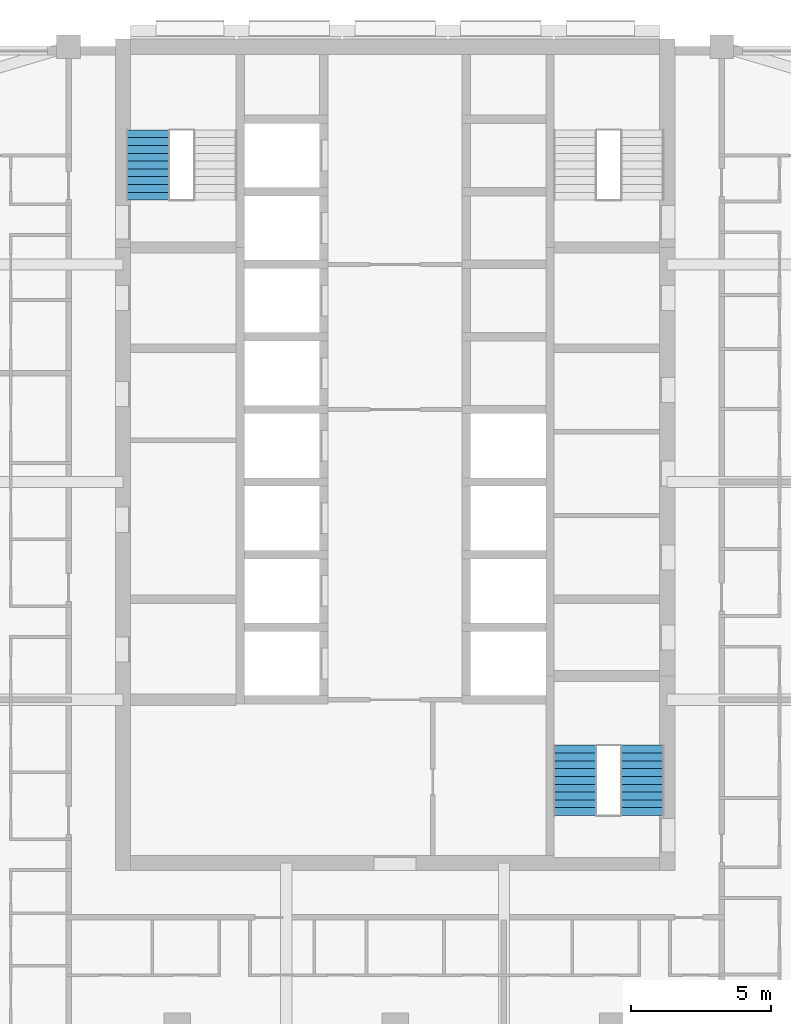
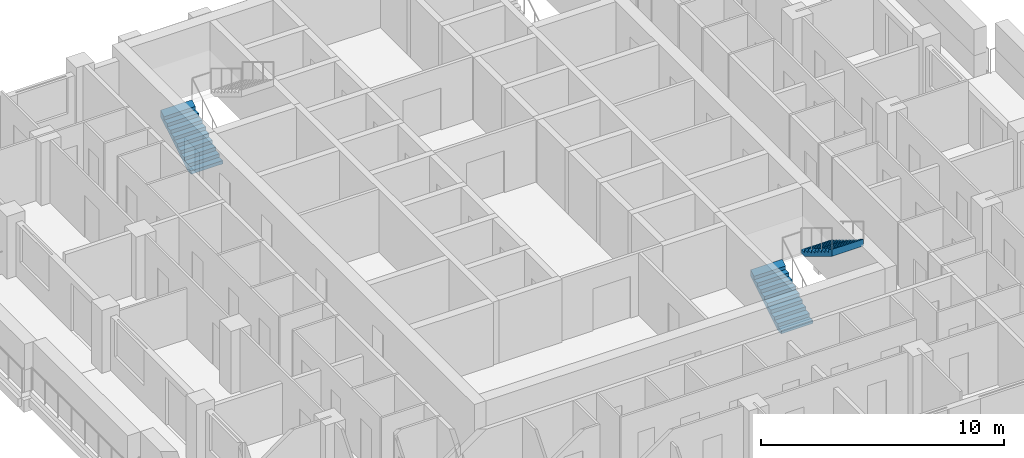
# One storey, part 10 of 13: 3 stair flights, 2 elements without a shape of their own.
"""IFC4 building model written with IfcOpenShell, lengths in metres."""

from ifc_helpers import new_model, si_unit, direction, frame, origin, place, context, subcontext, project, spatial, triangles, material, type_object, element, aggregate, save


model = new_model("IFC4")

# Units and contexts
model_context = context("Model", 3, precision=1e-05, world=origin(), true_north=direction((0.0, 1.0)))
body_context = subcontext(model_context, "Body", "Model", "MODEL_VIEW")
ifc_project = project(units=[si_unit("LENGTHUNIT", "METRE"), si_unit("AREAUNIT", "SQUARE_METRE"), si_unit("VOLUMEUNIT", "CUBIC_METRE"), si_unit("PLANEANGLEUNIT", "RADIAN"), si_unit("MASSUNIT", "GRAM", prefix="KILO")], contexts=[model_context])

# Site, building, storey
site_placement = place(None, origin())
site = spatial("IfcSite", under=ifc_project, at=site_placement, CompositionType="ELEMENT")
building_placement = place(site_placement, origin())
building = spatial("IfcBuilding", under=site, at=building_placement, Name="Ludao Terraces", CompositionType="ELEMENT")
storey_placement = place(building_placement, frame((0.0, 0.0, 130.5)))
storey = spatial("IfcBuildingStorey", under=building, at=storey_placement, Name="L35", CompositionType="ELEMENT", Elevation=130.5)

# Stair, stair flight
ifc_material = material(Name="Concrete C40", Category="concrete")
stair_type = type_object("IfcStairType", Name="INT Stair", PredefinedType="HALF_TURN_STAIR", material=ifc_material)
stair_1_placement = place(storey_placement, origin())
stair_1 = element("IfcStair", 1, at=stair_1_placement, inside=storey, type_object=stair_type, Name="EXIT STAIR 1", PredefinedType="HALF_TURN_STAIR")
stair_flight_type = type_object("IfcStairFlightType", Name="INT Stair flight", PredefinedType="STRAIGHT", material=ifc_material)
stair_flight_1_placement = place(storey_placement, frame((76.14990234375, 79.0, 0.0), z_axis=(0.0, 0.0, 1.0), x_axis=(0.0, 1.0, 0.0)))
stair_flight_1 = element("IfcStairFlight", 2, at=stair_flight_1_placement, type_object=stair_flight_type, Name="ST1 flight 1", NumberOfRisers=10, NumberOfTreads=9, PredefinedType="STRAIGHT", RiserHeight=0.17, TreadLength=0.28, context=body_context, shape_type="Tessellation", body=[
    triangles([(0.0, -0.75, 0.0), (0.0, -0.5, 0.0), (0.0, -0.25, 0.0), (0.0, 0.0, 0.0), (0.0, 0.25, 0.0), (0.0, 0.5, 0.0), (0.0, 0.75, 0.0), (0.0, -0.75, 0.169921875), (0.0, -0.5, 0.169921875), (0.0, -0.25, 0.169921875), (0.0, 0.0, 0.169921875), (0.0, 0.25, 0.169921875), (0.0, 0.5, 0.169921875), (0.0, 0.75, 0.169921875), (0.280029296875, -0.75, 0.169921875), (0.280029296875, -0.5, 0.169921875), (0.280029296875, -0.25, 0.169921875), (0.280029296875, 0.0, 0.169921875), (0.280029296875, 0.25, 0.169921875), (0.280029296875, 0.5, 0.169921875), (0.280029296875, 0.75, 0.169921875), (0.280029296875, -0.75, 0.340087890625), (0.280029296875, -0.5, 0.340087890625), (0.280029296875, -0.25, 0.340087890625), (0.280029296875, 0.0, 0.340087890625), (0.280029296875, 0.25, 0.340087890625), (0.280029296875, 0.5, 0.340087890625), (0.280029296875, 0.75, 0.340087890625), (0.56005859375, -0.75, 0.340087890625), (0.56005859375, -0.5, 0.340087890625), (0.56005859375, -0.25, 0.340087890625), (0.56005859375, 0.0, 0.340087890625), (0.56005859375, 0.25, 0.340087890625), (0.56005859375, 0.5, 0.340087890625), (0.56005859375, 0.75, 0.340087890625), (0.56005859375, -0.75, 0.510009765625), (0.56005859375, -0.5, 0.510009765625), (0.56005859375, -0.25, 0.510009765625), (0.56005859375, 0.0, 0.510009765625), (0.56005859375, 0.25, 0.510009765625), (0.56005859375, 0.5, 0.510009765625), (0.56005859375, 0.75, 0.510009765625), (0.840087890625, -0.75, 0.510009765625), (0.840087890625, -0.5, 0.510009765625), (0.840087890625, -0.25, 0.510009765625), (0.840087890625, 0.0, 0.510009765625), (0.840087890625, 0.25, 0.510009765625), (0.840087890625, 0.5, 0.510009765625), (0.840087890625, 0.75, 0.510009765625), (0.840087890625, -0.75, 0.679931640625), (0.840087890625, -0.5, 0.679931640625), (0.840087890625, -0.25, 0.679931640625), (0.840087890625, 0.0, 0.679931640625), (0.840087890625, 0.25, 0.679931640625), (0.840087890625, 0.5, 0.679931640625), (0.840087890625, 0.75, 0.679931640625), (1.1201171875, -0.75, 0.679931640625), (1.1201171875, -0.5, 0.679931640625), (1.1201171875, -0.25, 0.679931640625), (1.1201171875, 0.0, 0.679931640625), (1.1201171875, 0.25, 0.679931640625), (1.1201171875, 0.5, 0.679931640625), (1.1201171875, 0.75, 0.679931640625), (1.1201171875, -0.75, 0.85009765625), (1.1201171875, -0.5, 0.85009765625), (1.1201171875, -0.25, 0.85009765625), (1.1201171875, 0.0, 0.85009765625), (1.1201171875, 0.25, 0.85009765625), (1.1201171875, 0.5, 0.85009765625), (1.1201171875, 0.75, 0.85009765625), (1.39990234375, -0.75, 0.85009765625), (1.39990234375, -0.5, 0.85009765625), (1.39990234375, -0.25, 0.85009765625), (1.39990234375, 0.0, 0.85009765625), (1.39990234375, 0.25, 0.85009765625), (1.39990234375, 0.5, 0.85009765625), (1.39990234375, 0.75, 0.85009765625), (1.39990234375, -0.75, 1.02001953125), (1.39990234375, -0.5, 1.02001953125), (1.39990234375, -0.25, 1.02001953125), (1.39990234375, 0.0, 1.02001953125), (1.39990234375, 0.25, 1.02001953125), (1.39990234375, 0.5, 1.02001953125), (1.39990234375, 0.75, 1.02001953125), (1.679931640625, -0.75, 1.02001953125), (1.679931640625, -0.5, 1.02001953125), (1.679931640625, -0.25, 1.02001953125), (1.679931640625, 0.0, 1.02001953125), (1.679931640625, 0.25, 1.02001953125), (1.679931640625, 0.5, 1.02001953125), (1.679931640625, 0.75, 1.02001953125), (1.679931640625, -0.75, 1.18994140625), (1.679931640625, -0.5, 1.18994140625), (1.679931640625, -0.25, 1.18994140625), (1.679931640625, 0.0, 1.18994140625), (1.679931640625, 0.25, 1.18994140625), (1.679931640625, 0.5, 1.18994140625), (1.679931640625, 0.75, 1.18994140625), (1.9599609375, -0.75, 1.18994140625), (1.9599609375, -0.5, 1.18994140625), (1.9599609375, -0.25, 1.18994140625), (1.9599609375, 0.0, 1.18994140625), (1.9599609375, 0.25, 1.18994140625), (1.9599609375, 0.5, 1.18994140625), (1.9599609375, 0.75, 1.18994140625), (1.9599609375, -0.75, 1.360107421875), (1.9599609375, -0.5, 1.360107421875), (1.9599609375, -0.25, 1.360107421875), (1.9599609375, 0.0, 1.360107421875), (1.9599609375, 0.25, 1.360107421875), (1.9599609375, 0.5, 1.360107421875), (1.9599609375, 0.75, 1.360107421875), (2.239990234375, -0.75, 1.360107421875), (2.239990234375, -0.5, 1.360107421875), (2.239990234375, -0.25, 1.360107421875), (2.239990234375, 0.0, 1.360107421875), (2.239990234375, 0.25, 1.360107421875), (2.239990234375, 0.5, 1.360107421875), (2.239990234375, 0.75, 1.360107421875), (2.239990234375, -0.75, 1.530029296875), (2.239990234375, -0.5, 1.530029296875), (2.239990234375, -0.25, 1.530029296875), (2.239990234375, 0.0, 1.530029296875), (2.239990234375, 0.25, 1.530029296875), (2.239990234375, 0.5, 1.530029296875), (2.239990234375, 0.75, 1.530029296875), (2.52001953125, -0.75, 1.699951171875), (2.52001953125, -0.5, 1.699951171875), (2.52001953125, -0.25, 1.699951171875), (2.52001953125, 0.0, 1.699951171875), (2.52001953125, 0.25, 1.699951171875), (2.52001953125, 0.5, 1.699951171875), (2.52001953125, 0.75, 1.699951171875), (2.52001953125, -0.75, 1.354736328125), (2.52001953125, -0.5, 1.354736328125), (2.52001953125, -0.25, 1.354736328125), (2.52001953125, 0.0, 1.354736328125), (2.52001953125, 0.25, 1.354736328125), (2.52001953125, 0.5, 1.354736328125), (2.52001953125, 0.75, 1.354736328125), (0.288818359375, -0.75, 0.0), (0.288818359375, -0.5, 0.0), (0.288818359375, -0.25, 0.0), (0.288818359375, 0.0, 0.0), (0.288818359375, 0.25, 0.0), (0.288818359375, 0.5, 0.0), (0.288818359375, 0.75, 0.0)], [[1, 141, 134], [7, 140, 147], [134, 127, 120], [140, 126, 133], [134, 120, 113], [140, 119, 126], [134, 113, 106], [140, 112, 119], [134, 106, 99], [140, 105, 112], [99, 92, 85], [105, 91, 98], [134, 99, 85], [140, 91, 105], [85, 78, 71], [91, 77, 84], [134, 85, 71], [140, 77, 91], [71, 64, 57], [77, 63, 70], [134, 71, 57], [140, 63, 77], [57, 50, 43], [63, 49, 56], [134, 57, 43], [140, 49, 63], [43, 36, 29], [49, 35, 42], [134, 43, 29], [140, 35, 49], [29, 22, 15], [35, 21, 28], [134, 29, 15], [140, 21, 35], [1, 134, 15], [7, 21, 140], [15, 8, 1], [21, 7, 14], [1, 9, 2], [1, 8, 9], [2, 10, 3], [2, 9, 10], [3, 11, 4], [3, 10, 11], [4, 12, 5], [4, 11, 12], [5, 13, 6], [5, 12, 13], [6, 14, 7], [6, 13, 14], [8, 16, 9], [8, 15, 16], [9, 17, 10], [9, 16, 17], [10, 18, 11], [10, 17, 18], [11, 19, 12], [11, 18, 19], [12, 20, 13], [12, 19, 20], [13, 21, 14], [13, 20, 21], [15, 23, 16], [15, 22, 23], [16, 24, 17], [16, 23, 24], [17, 25, 18], [17, 24, 25], [18, 26, 19], [18, 25, 26], [19, 27, 20], [19, 26, 27], [20, 28, 21], [20, 27, 28], [22, 30, 23], [22, 29, 30], [23, 31, 24], [23, 30, 31], [24, 32, 25], [24, 31, 32], [25, 33, 26], [25, 32, 33], [26, 34, 27], [26, 33, 34], [27, 35, 28], [27, 34, 35], [29, 37, 30], [29, 36, 37], [30, 38, 31], [30, 37, 38], [31, 39, 32], [31, 38, 39], [32, 40, 33], [32, 39, 40], [33, 41, 34], [33, 40, 41], [34, 42, 35], [34, 41, 42], [36, 44, 37], [36, 43, 44], [37, 45, 38], [37, 44, 45], [38, 46, 39], [38, 45, 46], [39, 47, 40], [39, 46, 47], [40, 48, 41], [40, 47, 48], [41, 49, 42], [41, 48, 49], [43, 51, 44], [43, 50, 51], [44, 52, 45], [44, 51, 52], [45, 53, 46], [45, 52, 53], [46, 54, 47], [46, 53, 54], [47, 55, 48], [47, 54, 55], [48, 56, 49], [48, 55, 56], [50, 58, 51], [50, 57, 58], [51, 59, 52], [51, 58, 59], [52, 60, 53], [52, 59, 60], [53, 61, 54], [53, 60, 61], [54, 62, 55], [54, 61, 62], [55, 63, 56], [55, 62, 63], [57, 65, 58], [57, 64, 65], [58, 66, 59], [58, 65, 66], [59, 67, 60], [59, 66, 67], [60, 68, 61], [60, 67, 68], [61, 69, 62], [61, 68, 69], [62, 70, 63], [62, 69, 70], [64, 72, 65], [64, 71, 72], [65, 73, 66], [65, 72, 73], [66, 74, 67], [66, 73, 74], [67, 75, 68], [67, 74, 75], [68, 76, 69], [68, 75, 76], [69, 77, 70], [69, 76, 77], [71, 79, 72], [71, 78, 79], [72, 80, 73], [72, 79, 80], [73, 81, 74], [73, 80, 81], [74, 82, 75], [74, 81, 82], [75, 83, 76], [75, 82, 83], [76, 84, 77], [76, 83, 84], [78, 86, 79], [78, 85, 86], [79, 87, 80], [79, 86, 87], [80, 88, 81], [80, 87, 88], [81, 89, 82], [81, 88, 89], [82, 90, 83], [82, 89, 90], [83, 91, 84], [83, 90, 91], [85, 93, 86], [85, 92, 93], [86, 94, 87], [86, 93, 94], [87, 95, 88], [87, 94, 95], [88, 96, 89], [88, 95, 96], [89, 97, 90], [89, 96, 97], [90, 98, 91], [90, 97, 98], [92, 100, 93], [92, 99, 100], [93, 101, 94], [93, 100, 101], [94, 102, 95], [94, 101, 102], [95, 103, 96], [95, 102, 103], [96, 104, 97], [96, 103, 104], [97, 105, 98], [97, 104, 105], [99, 107, 100], [99, 106, 107], [100, 108, 101], [100, 107, 108], [101, 109, 102], [101, 108, 109], [102, 110, 103], [102, 109, 110], [103, 111, 104], [103, 110, 111], [104, 112, 105], [104, 111, 112], [106, 114, 107], [106, 113, 114], [107, 115, 108], [107, 114, 115], [108, 116, 109], [108, 115, 116], [109, 117, 110], [109, 116, 117], [110, 118, 111], [110, 117, 118], [111, 119, 112], [111, 118, 119], [113, 121, 114], [113, 120, 121], [114, 122, 115], [114, 121, 122], [115, 123, 116], [115, 122, 123], [116, 124, 117], [116, 123, 124], [117, 125, 118], [117, 124, 125], [118, 126, 119], [118, 125, 126], [120, 128, 121], [120, 127, 128], [121, 129, 122], [121, 128, 129], [122, 130, 123], [122, 129, 130], [123, 131, 124], [123, 130, 131], [124, 132, 125], [124, 131, 132], [125, 133, 126], [125, 132, 133], [127, 135, 128], [127, 134, 135], [128, 136, 129], [128, 135, 136], [129, 137, 130], [129, 136, 137], [130, 138, 131], [130, 137, 138], [131, 139, 132], [131, 138, 139], [132, 140, 133], [132, 139, 140], [134, 142, 135], [134, 141, 142], [135, 143, 136], [135, 142, 143], [136, 144, 137], [136, 143, 144], [137, 145, 138], [137, 144, 145], [138, 146, 139], [138, 145, 146], [139, 147, 140], [139, 146, 147], [141, 2, 142], [141, 1, 2], [142, 3, 143], [142, 2, 3], [143, 4, 144], [143, 3, 4], [144, 5, 145], [144, 4, 5], [145, 6, 146], [145, 5, 6], [146, 7, 147], [146, 6, 7]], closed=True),
])
aggregate(stair_1, [stair_flight_1])

# Stair, stair flights
stair_2_placement = place(storey_placement, origin())
stair_2 = element("IfcStair", 3, at=stair_2_placement, inside=storey, type_object=stair_type, Name="EXIT STAIR 3", PredefinedType="HALF_TURN_STAIR")
stair_flight_2_placement = place(storey_placement, frame((91.449951171875, 56.949951171875, 0.0), z_axis=(0.0, 0.0, 1.0), x_axis=(0.0, 1.0, 0.0)))
stair_flight_2 = element("IfcStairFlight", 4, at=stair_flight_2_placement, type_object=stair_flight_type, Name="ST3 flight 1", NumberOfRisers=10, NumberOfTreads=9, PredefinedType="STRAIGHT", RiserHeight=0.17, TreadLength=0.28, context=body_context, shape_type="Tessellation", body=[
    triangles([(0.0, -0.75, 0.0), (0.0, -0.5, 0.0), (0.0, -0.25, 0.0), (0.0, 0.0, 0.0), (0.0, 0.25, 0.0), (0.0, 0.5, 0.0), (0.0, 0.75, 0.0), (0.0, -0.75, 0.169921875), (0.0, -0.5, 0.169921875), (0.0, -0.25, 0.169921875), (0.0, 0.0, 0.169921875), (0.0, 0.25, 0.169921875), (0.0, 0.5, 0.169921875), (0.0, 0.75, 0.169921875), (0.280029296875, -0.75, 0.169921875), (0.280029296875, -0.5, 0.169921875), (0.280029296875, -0.25, 0.169921875), (0.280029296875, 0.0, 0.169921875), (0.280029296875, 0.25, 0.169921875), (0.280029296875, 0.5, 0.169921875), (0.280029296875, 0.75, 0.169921875), (0.280029296875, -0.75, 0.340087890625), (0.280029296875, -0.5, 0.340087890625), (0.280029296875, -0.25, 0.340087890625), (0.280029296875, 0.0, 0.340087890625), (0.280029296875, 0.25, 0.340087890625), (0.280029296875, 0.5, 0.340087890625), (0.280029296875, 0.75, 0.340087890625), (0.56005859375, -0.75, 0.340087890625), (0.56005859375, -0.5, 0.340087890625), (0.56005859375, -0.25, 0.340087890625), (0.56005859375, 0.0, 0.340087890625), (0.56005859375, 0.25, 0.340087890625), (0.56005859375, 0.5, 0.340087890625), (0.56005859375, 0.75, 0.340087890625), (0.56005859375, -0.75, 0.510009765625), (0.56005859375, -0.5, 0.510009765625), (0.56005859375, -0.25, 0.510009765625), (0.56005859375, 0.0, 0.510009765625), (0.56005859375, 0.25, 0.510009765625), (0.56005859375, 0.5, 0.510009765625), (0.56005859375, 0.75, 0.510009765625), (0.840087890625, -0.75, 0.510009765625), (0.840087890625, -0.5, 0.510009765625), (0.840087890625, -0.25, 0.510009765625), (0.840087890625, 0.0, 0.510009765625), (0.840087890625, 0.25, 0.510009765625), (0.840087890625, 0.5, 0.510009765625), (0.840087890625, 0.75, 0.510009765625), (0.840087890625, -0.75, 0.679931640625), (0.840087890625, -0.5, 0.679931640625), (0.840087890625, -0.25, 0.679931640625), (0.840087890625, 0.0, 0.679931640625), (0.840087890625, 0.25, 0.679931640625), (0.840087890625, 0.5, 0.679931640625), (0.840087890625, 0.75, 0.679931640625), (1.1201171875, -0.75, 0.679931640625), (1.1201171875, -0.5, 0.679931640625), (1.1201171875, -0.25, 0.679931640625), (1.1201171875, 0.0, 0.679931640625), (1.1201171875, 0.25, 0.679931640625), (1.1201171875, 0.5, 0.679931640625), (1.1201171875, 0.75, 0.679931640625), (1.1201171875, -0.75, 0.85009765625), (1.1201171875, -0.5, 0.85009765625), (1.1201171875, -0.25, 0.85009765625), (1.1201171875, 0.0, 0.85009765625), (1.1201171875, 0.25, 0.85009765625), (1.1201171875, 0.5, 0.85009765625), (1.1201171875, 0.75, 0.85009765625), (1.39990234375, -0.75, 0.85009765625), (1.39990234375, -0.5, 0.85009765625), (1.39990234375, -0.25, 0.85009765625), (1.39990234375, 0.0, 0.85009765625), (1.39990234375, 0.25, 0.85009765625), (1.39990234375, 0.5, 0.85009765625), (1.39990234375, 0.75, 0.85009765625), (1.39990234375, -0.75, 1.02001953125), (1.39990234375, -0.5, 1.02001953125), (1.39990234375, -0.25, 1.02001953125), (1.39990234375, 0.0, 1.02001953125), (1.39990234375, 0.25, 1.02001953125), (1.39990234375, 0.5, 1.02001953125), (1.39990234375, 0.75, 1.02001953125), (1.679931640625, -0.75, 1.02001953125), (1.679931640625, -0.5, 1.02001953125), (1.679931640625, -0.25, 1.02001953125), (1.679931640625, 0.0, 1.02001953125), (1.679931640625, 0.25, 1.02001953125), (1.679931640625, 0.5, 1.02001953125), (1.679931640625, 0.75, 1.02001953125), (1.679931640625, -0.75, 1.18994140625), (1.679931640625, -0.5, 1.18994140625), (1.679931640625, -0.25, 1.18994140625), (1.679931640625, 0.0, 1.18994140625), (1.679931640625, 0.25, 1.18994140625), (1.679931640625, 0.5, 1.18994140625), (1.679931640625, 0.75, 1.18994140625), (1.9599609375, -0.75, 1.18994140625), (1.9599609375, -0.5, 1.18994140625), (1.9599609375, -0.25, 1.18994140625), (1.9599609375, 0.0, 1.18994140625), (1.9599609375, 0.25, 1.18994140625), (1.9599609375, 0.5, 1.18994140625), (1.9599609375, 0.75, 1.18994140625), (1.9599609375, -0.75, 1.360107421875), (1.9599609375, -0.5, 1.360107421875), (1.9599609375, -0.25, 1.360107421875), (1.9599609375, 0.0, 1.360107421875), (1.9599609375, 0.25, 1.360107421875), (1.9599609375, 0.5, 1.360107421875), (1.9599609375, 0.75, 1.360107421875), (2.239990234375, -0.75, 1.360107421875), (2.239990234375, -0.5, 1.360107421875), (2.239990234375, -0.25, 1.360107421875), (2.239990234375, 0.0, 1.360107421875), (2.239990234375, 0.25, 1.360107421875), (2.239990234375, 0.5, 1.360107421875), (2.239990234375, 0.75, 1.360107421875), (2.239990234375, -0.75, 1.530029296875), (2.239990234375, -0.5, 1.530029296875), (2.239990234375, -0.25, 1.530029296875), (2.239990234375, 0.0, 1.530029296875), (2.239990234375, 0.25, 1.530029296875), (2.239990234375, 0.5, 1.530029296875), (2.239990234375, 0.75, 1.530029296875), (2.52001953125, -0.75, 1.699951171875), (2.52001953125, -0.5, 1.699951171875), (2.52001953125, -0.25, 1.699951171875), (2.52001953125, 0.0, 1.699951171875), (2.52001953125, 0.25, 1.699951171875), (2.52001953125, 0.5, 1.699951171875), (2.52001953125, 0.75, 1.699951171875), (2.52001953125, -0.75, 1.354736328125), (2.52001953125, -0.5, 1.354736328125), (2.52001953125, -0.25, 1.354736328125), (2.52001953125, 0.0, 1.354736328125), (2.52001953125, 0.25, 1.354736328125), (2.52001953125, 0.5, 1.354736328125), (2.52001953125, 0.75, 1.354736328125), (0.288818359375, -0.75, 0.0), (0.288818359375, -0.5, 0.0), (0.288818359375, -0.25, 0.0), (0.288818359375, 0.0, 0.0), (0.288818359375, 0.25, 0.0), (0.288818359375, 0.5, 0.0), (0.288818359375, 0.75, 0.0)], [[1, 141, 134], [7, 140, 147], [134, 127, 120], [140, 126, 133], [134, 120, 113], [140, 119, 126], [134, 113, 106], [140, 112, 119], [134, 106, 99], [140, 105, 112], [99, 92, 85], [105, 91, 98], [134, 99, 85], [140, 91, 105], [85, 78, 71], [91, 77, 84], [134, 85, 71], [140, 77, 91], [71, 64, 57], [77, 63, 70], [134, 71, 57], [140, 63, 77], [57, 50, 43], [63, 49, 56], [134, 57, 43], [140, 49, 63], [43, 36, 29], [49, 35, 42], [134, 43, 29], [140, 35, 49], [29, 22, 15], [35, 21, 28], [134, 29, 15], [140, 21, 35], [1, 134, 15], [7, 21, 140], [15, 8, 1], [21, 7, 14], [1, 9, 2], [1, 8, 9], [2, 10, 3], [2, 9, 10], [3, 11, 4], [3, 10, 11], [4, 12, 5], [4, 11, 12], [5, 13, 6], [5, 12, 13], [6, 14, 7], [6, 13, 14], [8, 16, 9], [8, 15, 16], [9, 17, 10], [9, 16, 17], [10, 18, 11], [10, 17, 18], [11, 19, 12], [11, 18, 19], [12, 20, 13], [12, 19, 20], [13, 21, 14], [13, 20, 21], [15, 23, 16], [15, 22, 23], [16, 24, 17], [16, 23, 24], [17, 25, 18], [17, 24, 25], [18, 26, 19], [18, 25, 26], [19, 27, 20], [19, 26, 27], [20, 28, 21], [20, 27, 28], [22, 30, 23], [22, 29, 30], [23, 31, 24], [23, 30, 31], [24, 32, 25], [24, 31, 32], [25, 33, 26], [25, 32, 33], [26, 34, 27], [26, 33, 34], [27, 35, 28], [27, 34, 35], [29, 37, 30], [29, 36, 37], [30, 38, 31], [30, 37, 38], [31, 39, 32], [31, 38, 39], [32, 40, 33], [32, 39, 40], [33, 41, 34], [33, 40, 41], [34, 42, 35], [34, 41, 42], [36, 44, 37], [36, 43, 44], [37, 45, 38], [37, 44, 45], [38, 46, 39], [38, 45, 46], [39, 47, 40], [39, 46, 47], [40, 48, 41], [40, 47, 48], [41, 49, 42], [41, 48, 49], [43, 51, 44], [43, 50, 51], [44, 52, 45], [44, 51, 52], [45, 53, 46], [45, 52, 53], [46, 54, 47], [46, 53, 54], [47, 55, 48], [47, 54, 55], [48, 56, 49], [48, 55, 56], [50, 58, 51], [50, 57, 58], [51, 59, 52], [51, 58, 59], [52, 60, 53], [52, 59, 60], [53, 61, 54], [53, 60, 61], [54, 62, 55], [54, 61, 62], [55, 63, 56], [55, 62, 63], [57, 65, 58], [57, 64, 65], [58, 66, 59], [58, 65, 66], [59, 67, 60], [59, 66, 67], [60, 68, 61], [60, 67, 68], [61, 69, 62], [61, 68, 69], [62, 70, 63], [62, 69, 70], [64, 72, 65], [64, 71, 72], [65, 73, 66], [65, 72, 73], [66, 74, 67], [66, 73, 74], [67, 75, 68], [67, 74, 75], [68, 76, 69], [68, 75, 76], [69, 77, 70], [69, 76, 77], [71, 79, 72], [71, 78, 79], [72, 80, 73], [72, 79, 80], [73, 81, 74], [73, 80, 81], [74, 82, 75], [74, 81, 82], [75, 83, 76], [75, 82, 83], [76, 84, 77], [76, 83, 84], [78, 86, 79], [78, 85, 86], [79, 87, 80], [79, 86, 87], [80, 88, 81], [80, 87, 88], [81, 89, 82], [81, 88, 89], [82, 90, 83], [82, 89, 90], [83, 91, 84], [83, 90, 91], [85, 93, 86], [85, 92, 93], [86, 94, 87], [86, 93, 94], [87, 95, 88], [87, 94, 95], [88, 96, 89], [88, 95, 96], [89, 97, 90], [89, 96, 97], [90, 98, 91], [90, 97, 98], [92, 100, 93], [92, 99, 100], [93, 101, 94], [93, 100, 101], [94, 102, 95], [94, 101, 102], [95, 103, 96], [95, 102, 103], [96, 104, 97], [96, 103, 104], [97, 105, 98], [97, 104, 105], [99, 107, 100], [99, 106, 107], [100, 108, 101], [100, 107, 108], [101, 109, 102], [101, 108, 109], [102, 110, 103], [102, 109, 110], [103, 111, 104], [103, 110, 111], [104, 112, 105], [104, 111, 112], [106, 114, 107], [106, 113, 114], [107, 115, 108], [107, 114, 115], [108, 116, 109], [108, 115, 116], [109, 117, 110], [109, 116, 117], [110, 118, 111], [110, 117, 118], [111, 119, 112], [111, 118, 119], [113, 121, 114], [113, 120, 121], [114, 122, 115], [114, 121, 122], [115, 123, 116], [115, 122, 123], [116, 124, 117], [116, 123, 124], [117, 125, 118], [117, 124, 125], [118, 126, 119], [118, 125, 126], [120, 128, 121], [120, 127, 128], [121, 129, 122], [121, 128, 129], [122, 130, 123], [122, 129, 130], [123, 131, 124], [123, 130, 131], [124, 132, 125], [124, 131, 132], [125, 133, 126], [125, 132, 133], [127, 135, 128], [127, 134, 135], [128, 136, 129], [128, 135, 136], [129, 137, 130], [129, 136, 137], [130, 138, 131], [130, 137, 138], [131, 139, 132], [131, 138, 139], [132, 140, 133], [132, 139, 140], [134, 142, 135], [134, 141, 142], [135, 143, 136], [135, 142, 143], [136, 144, 137], [136, 143, 144], [137, 145, 138], [137, 144, 145], [138, 146, 139], [138, 145, 146], [139, 147, 140], [139, 146, 147], [141, 2, 142], [141, 1, 2], [142, 3, 143], [142, 2, 3], [143, 4, 144], [143, 3, 4], [144, 5, 145], [144, 4, 5], [145, 6, 146], [145, 5, 6], [146, 7, 147], [146, 6, 7]], closed=True),
])
stair_flight_3_placement = place(storey_placement, frame((93.85009765625, 59.469970703125, 1.699951171875), z_axis=(0.0, 0.0, 1.0), x_axis=(0.0, -1.0, 0.0)))
stair_flight_3 = element("IfcStairFlight", 5, at=stair_flight_3_placement, type_object=stair_flight_type, Name="ST3 flight 2", NumberOfRisers=10, NumberOfTreads=9, PredefinedType="STRAIGHT", RiserHeight=0.17, TreadLength=0.28, context=body_context, shape_type="Tessellation", body=[
    triangles([(0.0, -0.75, 0.0), (0.0, -0.5, 0.0), (0.0, -0.25, 0.0), (0.0, 0.0, 0.0), (0.0, 0.25, 0.0), (0.0, 0.5, 0.0), (0.0, 0.75, 0.0), (0.0, -0.75, 0.169921875), (0.0, -0.5, 0.169921875), (0.0, -0.25, 0.169921875), (0.0, 0.0, 0.169921875), (0.0, 0.25, 0.169921875), (0.0, 0.5, 0.169921875), (0.0, 0.75, 0.169921875), (0.280029296875, -0.75, 0.169921875), (0.280029296875, -0.5, 0.169921875), (0.280029296875, -0.25, 0.169921875), (0.280029296875, 0.0, 0.169921875), (0.280029296875, 0.25, 0.169921875), (0.280029296875, 0.5, 0.169921875), (0.280029296875, 0.75, 0.169921875), (0.280029296875, -0.75, 0.340087890625), (0.280029296875, -0.5, 0.340087890625), (0.280029296875, -0.25, 0.340087890625), (0.280029296875, 0.0, 0.340087890625), (0.280029296875, 0.25, 0.340087890625), (0.280029296875, 0.5, 0.340087890625), (0.280029296875, 0.75, 0.340087890625), (0.56005859375, -0.75, 0.340087890625), (0.56005859375, -0.5, 0.340087890625), (0.56005859375, -0.25, 0.340087890625), (0.56005859375, 0.0, 0.340087890625), (0.56005859375, 0.25, 0.340087890625), (0.56005859375, 0.5, 0.340087890625), (0.56005859375, 0.75, 0.340087890625), (0.56005859375, -0.75, 0.510009765625), (0.56005859375, -0.5, 0.510009765625), (0.56005859375, -0.25, 0.510009765625), (0.56005859375, 0.0, 0.510009765625), (0.56005859375, 0.25, 0.510009765625), (0.56005859375, 0.5, 0.510009765625), (0.56005859375, 0.75, 0.510009765625), (0.840087890625, -0.75, 0.510009765625), (0.840087890625, -0.5, 0.510009765625), (0.840087890625, -0.25, 0.510009765625), (0.840087890625, 0.0, 0.510009765625), (0.840087890625, 0.25, 0.510009765625), (0.840087890625, 0.5, 0.510009765625), (0.840087890625, 0.75, 0.510009765625), (0.840087890625, -0.75, 0.679931640625), (0.840087890625, -0.5, 0.679931640625), (0.840087890625, -0.25, 0.679931640625), (0.840087890625, 0.0, 0.679931640625), (0.840087890625, 0.25, 0.679931640625), (0.840087890625, 0.5, 0.679931640625), (0.840087890625, 0.75, 0.679931640625), (1.1201171875, -0.75, 0.679931640625), (1.1201171875, -0.5, 0.679931640625), (1.1201171875, -0.25, 0.679931640625), (1.1201171875, 0.0, 0.679931640625), (1.1201171875, 0.25, 0.679931640625), (1.1201171875, 0.5, 0.679931640625), (1.1201171875, 0.75, 0.679931640625), (1.1201171875, -0.75, 0.85009765625), (1.1201171875, -0.5, 0.85009765625), (1.1201171875, -0.25, 0.85009765625), (1.1201171875, 0.0, 0.85009765625), (1.1201171875, 0.25, 0.85009765625), (1.1201171875, 0.5, 0.85009765625), (1.1201171875, 0.75, 0.85009765625), (1.39990234375, -0.75, 0.85009765625), (1.39990234375, -0.5, 0.85009765625), (1.39990234375, -0.25, 0.85009765625), (1.39990234375, 0.0, 0.85009765625), (1.39990234375, 0.25, 0.85009765625), (1.39990234375, 0.5, 0.85009765625), (1.39990234375, 0.75, 0.85009765625), (1.39990234375, -0.75, 1.02001953125), (1.39990234375, -0.5, 1.02001953125), (1.39990234375, -0.25, 1.02001953125), (1.39990234375, 0.0, 1.02001953125), (1.39990234375, 0.25, 1.02001953125), (1.39990234375, 0.5, 1.02001953125), (1.39990234375, 0.75, 1.02001953125), (1.679931640625, -0.75, 1.02001953125), (1.679931640625, -0.5, 1.02001953125), (1.679931640625, -0.25, 1.02001953125), (1.679931640625, 0.0, 1.02001953125), (1.679931640625, 0.25, 1.02001953125), (1.679931640625, 0.5, 1.02001953125), (1.679931640625, 0.75, 1.02001953125), (1.679931640625, -0.75, 1.18994140625), (1.679931640625, -0.5, 1.18994140625), (1.679931640625, -0.25, 1.18994140625), (1.679931640625, 0.0, 1.18994140625), (1.679931640625, 0.25, 1.18994140625), (1.679931640625, 0.5, 1.18994140625), (1.679931640625, 0.75, 1.18994140625), (1.9599609375, -0.75, 1.18994140625), (1.9599609375, -0.5, 1.18994140625), (1.9599609375, -0.25, 1.18994140625), (1.9599609375, 0.0, 1.18994140625), (1.9599609375, 0.25, 1.18994140625), (1.9599609375, 0.5, 1.18994140625), (1.9599609375, 0.75, 1.18994140625), (1.9599609375, -0.75, 1.360107421875), (1.9599609375, -0.5, 1.360107421875), (1.9599609375, -0.25, 1.360107421875), (1.9599609375, 0.0, 1.360107421875), (1.9599609375, 0.25, 1.360107421875), (1.9599609375, 0.5, 1.360107421875), (1.9599609375, 0.75, 1.360107421875), (2.239990234375, -0.75, 1.360107421875), (2.239990234375, -0.5, 1.360107421875), (2.239990234375, -0.25, 1.360107421875), (2.239990234375, 0.0, 1.360107421875), (2.239990234375, 0.25, 1.360107421875), (2.239990234375, 0.5, 1.360107421875), (2.239990234375, 0.75, 1.360107421875), (2.239990234375, -0.75, 1.530029296875), (2.239990234375, -0.5, 1.530029296875), (2.239990234375, -0.25, 1.530029296875), (2.239990234375, 0.0, 1.530029296875), (2.239990234375, 0.25, 1.530029296875), (2.239990234375, 0.5, 1.530029296875), (2.239990234375, 0.75, 1.530029296875), (2.52001953125, -0.75, 1.699951171875), (2.52001953125, -0.5, 1.699951171875), (2.52001953125, -0.25, 1.699951171875), (2.52001953125, 0.0, 1.699951171875), (2.52001953125, 0.25, 1.699951171875), (2.52001953125, 0.5, 1.699951171875), (2.52001953125, 0.75, 1.699951171875), (2.52001953125, -0.75, 1.354736328125), (2.52001953125, -0.5, 1.354736328125), (2.52001953125, -0.25, 1.354736328125), (2.52001953125, 0.0, 1.354736328125), (2.52001953125, 0.25, 1.354736328125), (2.52001953125, 0.5, 1.354736328125), (2.52001953125, 0.75, 1.354736328125), (0.288818359375, -0.75, 0.0), (0.288818359375, -0.5, 0.0), (0.288818359375, -0.25, 0.0), (0.288818359375, 0.0, 0.0), (0.288818359375, 0.25, 0.0), (0.288818359375, 0.5, 0.0), (0.288818359375, 0.75, 0.0)], [[1, 141, 134], [7, 140, 147], [134, 127, 120], [140, 126, 133], [134, 120, 113], [140, 119, 126], [134, 113, 106], [140, 112, 119], [134, 106, 99], [140, 105, 112], [99, 92, 85], [105, 91, 98], [134, 99, 85], [140, 91, 105], [85, 78, 71], [91, 77, 84], [134, 85, 71], [140, 77, 91], [71, 64, 57], [77, 63, 70], [134, 71, 57], [140, 63, 77], [57, 50, 43], [63, 49, 56], [134, 57, 43], [140, 49, 63], [43, 36, 29], [49, 35, 42], [134, 43, 29], [140, 35, 49], [29, 22, 15], [35, 21, 28], [134, 29, 15], [140, 21, 35], [1, 134, 15], [7, 21, 140], [15, 8, 1], [21, 7, 14], [1, 9, 2], [1, 8, 9], [2, 10, 3], [2, 9, 10], [3, 11, 4], [3, 10, 11], [4, 12, 5], [4, 11, 12], [5, 13, 6], [5, 12, 13], [6, 14, 7], [6, 13, 14], [8, 16, 9], [8, 15, 16], [9, 17, 10], [9, 16, 17], [10, 18, 11], [10, 17, 18], [11, 19, 12], [11, 18, 19], [12, 20, 13], [12, 19, 20], [13, 21, 14], [13, 20, 21], [15, 23, 16], [15, 22, 23], [16, 24, 17], [16, 23, 24], [17, 25, 18], [17, 24, 25], [18, 26, 19], [18, 25, 26], [19, 27, 20], [19, 26, 27], [20, 28, 21], [20, 27, 28], [22, 30, 23], [22, 29, 30], [23, 31, 24], [23, 30, 31], [24, 32, 25], [24, 31, 32], [25, 33, 26], [25, 32, 33], [26, 34, 27], [26, 33, 34], [27, 35, 28], [27, 34, 35], [29, 37, 30], [29, 36, 37], [30, 38, 31], [30, 37, 38], [31, 39, 32], [31, 38, 39], [32, 40, 33], [32, 39, 40], [33, 41, 34], [33, 40, 41], [34, 42, 35], [34, 41, 42], [36, 44, 37], [36, 43, 44], [37, 45, 38], [37, 44, 45], [38, 46, 39], [38, 45, 46], [39, 47, 40], [39, 46, 47], [40, 48, 41], [40, 47, 48], [41, 49, 42], [41, 48, 49], [43, 51, 44], [43, 50, 51], [44, 52, 45], [44, 51, 52], [45, 53, 46], [45, 52, 53], [46, 54, 47], [46, 53, 54], [47, 55, 48], [47, 54, 55], [48, 56, 49], [48, 55, 56], [50, 58, 51], [50, 57, 58], [51, 59, 52], [51, 58, 59], [52, 60, 53], [52, 59, 60], [53, 61, 54], [53, 60, 61], [54, 62, 55], [54, 61, 62], [55, 63, 56], [55, 62, 63], [57, 65, 58], [57, 64, 65], [58, 66, 59], [58, 65, 66], [59, 67, 60], [59, 66, 67], [60, 68, 61], [60, 67, 68], [61, 69, 62], [61, 68, 69], [62, 70, 63], [62, 69, 70], [64, 72, 65], [64, 71, 72], [65, 73, 66], [65, 72, 73], [66, 74, 67], [66, 73, 74], [67, 75, 68], [67, 74, 75], [68, 76, 69], [68, 75, 76], [69, 77, 70], [69, 76, 77], [71, 79, 72], [71, 78, 79], [72, 80, 73], [72, 79, 80], [73, 81, 74], [73, 80, 81], [74, 82, 75], [74, 81, 82], [75, 83, 76], [75, 82, 83], [76, 84, 77], [76, 83, 84], [78, 86, 79], [78, 85, 86], [79, 87, 80], [79, 86, 87], [80, 88, 81], [80, 87, 88], [81, 89, 82], [81, 88, 89], [82, 90, 83], [82, 89, 90], [83, 91, 84], [83, 90, 91], [85, 93, 86], [85, 92, 93], [86, 94, 87], [86, 93, 94], [87, 95, 88], [87, 94, 95], [88, 96, 89], [88, 95, 96], [89, 97, 90], [89, 96, 97], [90, 98, 91], [90, 97, 98], [92, 100, 93], [92, 99, 100], [93, 101, 94], [93, 100, 101], [94, 102, 95], [94, 101, 102], [95, 103, 96], [95, 102, 103], [96, 104, 97], [96, 103, 104], [97, 105, 98], [97, 104, 105], [99, 107, 100], [99, 106, 107], [100, 108, 101], [100, 107, 108], [101, 109, 102], [101, 108, 109], [102, 110, 103], [102, 109, 110], [103, 111, 104], [103, 110, 111], [104, 112, 105], [104, 111, 112], [106, 114, 107], [106, 113, 114], [107, 115, 108], [107, 114, 115], [108, 116, 109], [108, 115, 116], [109, 117, 110], [109, 116, 117], [110, 118, 111], [110, 117, 118], [111, 119, 112], [111, 118, 119], [113, 121, 114], [113, 120, 121], [114, 122, 115], [114, 121, 122], [115, 123, 116], [115, 122, 123], [116, 124, 117], [116, 123, 124], [117, 125, 118], [117, 124, 125], [118, 126, 119], [118, 125, 126], [120, 128, 121], [120, 127, 128], [121, 129, 122], [121, 128, 129], [122, 130, 123], [122, 129, 130], [123, 131, 124], [123, 130, 131], [124, 132, 125], [124, 131, 132], [125, 133, 126], [125, 132, 133], [127, 135, 128], [127, 134, 135], [128, 136, 129], [128, 135, 136], [129, 137, 130], [129, 136, 137], [130, 138, 131], [130, 137, 138], [131, 139, 132], [131, 138, 139], [132, 140, 133], [132, 139, 140], [134, 142, 135], [134, 141, 142], [135, 143, 136], [135, 142, 143], [136, 144, 137], [136, 143, 144], [137, 145, 138], [137, 144, 145], [138, 146, 139], [138, 145, 146], [139, 147, 140], [139, 146, 147], [141, 2, 142], [141, 1, 2], [142, 3, 143], [142, 2, 3], [143, 4, 144], [143, 3, 4], [144, 5, 145], [144, 4, 5], [145, 6, 146], [145, 5, 6], [146, 7, 147], [146, 6, 7]], closed=True),
])
aggregate(stair_2, [stair_flight_2, stair_flight_3])

save(model, "model.ifc")
